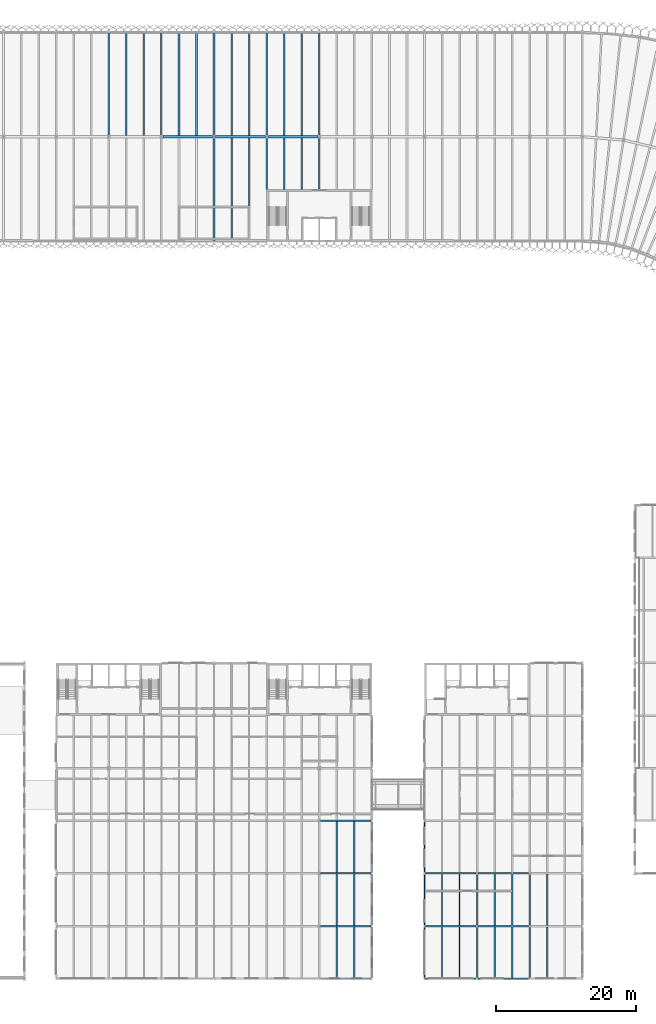
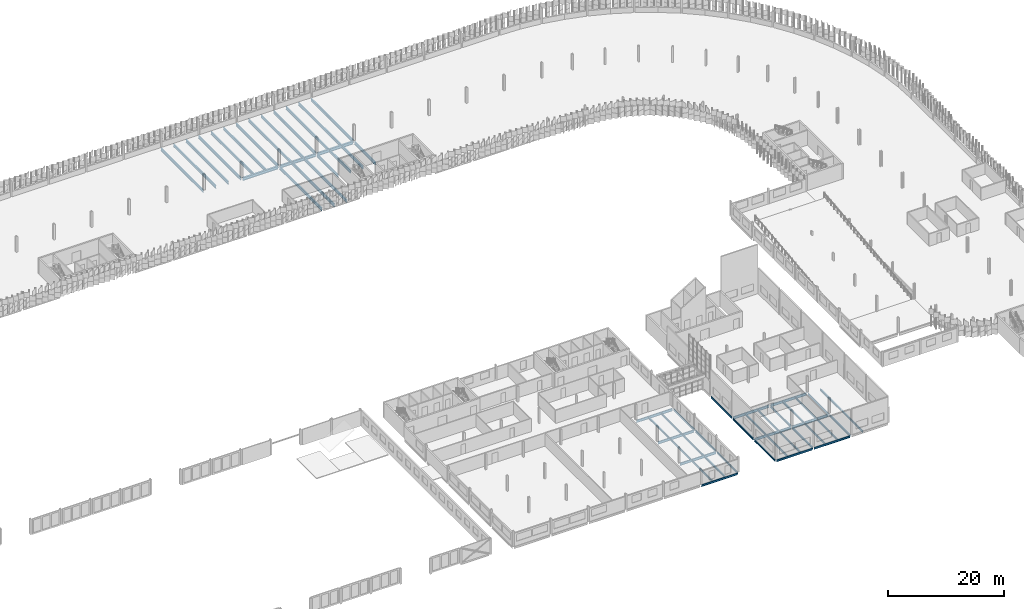
# One storey, part 32 of 198: 59 beams.
"""IFC4 building model written with IfcOpenShell, lengths in metres."""

import ifcopenshell
import ifcopenshell.guid

model = None  # the IFC model being written
_history = None  # IfcOwnerHistory: only IFC2X3 demands one
_inside = {}  # id of a spatial element -> (the spatial element, [elements in it])
_under = {}  # id of a project, library or spatial element -> (it, [spatial elements below it])
_declared = {}  # id of a project -> (the project, [libraries it declares])
_typed = {}  # id of a type object -> (the type object, [elements of that type])
_made_of = {}  # id of a material, layer set ... -> (it, [elements and type objects made of it])


def new_model(schema):
    """Start an empty IFC model of exactly this schema.

    Asked for "IFC4X3", IfcOpenShell would pick the latest addendum, in which some entities
    have other attributes; the version numbers below select the first issue.
    IFC2X3 requires an IfcOwnerHistory on every rooted entity: one is made here for all.
    """
    global model, _history
    if schema == "IFC4X3":
        model = ifcopenshell.file(schema_version=(4, 3, 0, 0))
    else:
        model = ifcopenshell.file(schema=schema)
    _inside.clear()
    _under.clear()
    _declared.clear()
    _typed.clear()
    _made_of.clear()
    _history = None
    if model.schema == "IFC2X3":
        org = make("IfcOrganization", Name="unknown")
        user = make(
            "IfcPersonAndOrganization",
            ThePerson=make("IfcPerson", FamilyName="unknown"),
            TheOrganization=org,
        )
        app = make(
            "IfcApplication",
            ApplicationDeveloper=org,
            Version="unknown",
            ApplicationFullName="unknown",
            ApplicationIdentifier="unknown",
        )
        _history = make(
            "IfcOwnerHistory",
            OwningUser=user,
            OwningApplication=app,
            ChangeAction="ADDED",
            CreationDate=0,
        )
    return model


def make(cls, **values):
    """One entity of the class cls with the attributes given. An attribute that is None is left unset."""
    return model.create_entity(
        cls, **{name: value for name, value in values.items() if value is not None}
    )


def rooted(cls, **values):
    """An entity with a GlobalId (a new one), such as an element, a storey or a relation."""
    return make(cls, GlobalId=ifcopenshell.guid.new(), OwnerHistory=_history, **values)


def si_unit(unit_type, name, prefix=None):
    """IfcSIUnit, for example si_unit("LENGTHUNIT", "METRE", prefix="MILLI")."""
    return make("IfcSIUnit", UnitType=unit_type, Prefix=prefix, Name=name)


def assignment(units):
    """IfcUnitAssignment: the units of a project."""
    return None if units is None else make("IfcUnitAssignment", Units=units)


def point(xyz):
    """IfcCartesianPoint."""
    return None if xyz is None else make("IfcCartesianPoint", Coordinates=xyz)


def direction(xyz):
    """IfcDirection."""
    return None if xyz is None else make("IfcDirection", DirectionRatios=xyz)


def frame(location, z_axis=None, x_axis=None):
    """IfcAxis2Placement3D, a coordinate frame: its origin and axes. An axis left out is left unset."""
    return make(
        "IfcAxis2Placement3D",
        Location=point(location),
        Axis=direction(z_axis),
        RefDirection=direction(x_axis),
    )


def frame_2d(location, x_axis=None):
    """IfcAxis2Placement2D, a coordinate frame in the plane: its origin and x axis."""
    return make(
        "IfcAxis2Placement2D", Location=point(location), RefDirection=direction(x_axis)
    )


def origin():
    """The frame at (0, 0, 0) with its axes left unset."""
    return frame((0.0, 0.0, 0.0))


def origin_2d():
    """The frame at (0, 0) in the plane with its x axis left unset."""
    return frame_2d((0.0, 0.0))


def place(relative_to, where):
    """IfcLocalPlacement: puts the frame where relative to a parent placement (None: the world)."""
    return make(
        "IfcLocalPlacement", PlacementRelTo=relative_to, RelativePlacement=where
    )


def context(
    kind, dimensions, precision=None, world=None, true_north=None, identifier=None
):
    """IfcGeometricRepresentationContext, for example the 3D "Model" context."""
    return make(
        "IfcGeometricRepresentationContext",
        ContextIdentifier=identifier,
        ContextType=kind,
        CoordinateSpaceDimension=dimensions,
        Precision=precision,
        WorldCoordinateSystem=world,
        TrueNorth=true_north,
    )


def subcontext(parent, identifier, kind, view, scale=None):
    """IfcGeometricRepresentationSubContext, for example "Body" below "Model"."""
    return make(
        "IfcGeometricRepresentationSubContext",
        ContextIdentifier=identifier,
        ContextType=kind,
        ParentContext=parent,
        TargetScale=scale,
        TargetView=view,
    )


def project(units=None, contexts=None):
    """IfcProject with its units and contexts."""
    return rooted(
        "IfcProject",
        Name="project",
        RepresentationContexts=contexts,
        UnitsInContext=assignment(units),
    )


def spatial(cls, under=None, at=None, **own):
    """A site, building, storey or space (cls), placed at a placement, below another one or the project."""
    s = rooted(cls, ObjectPlacement=at, **own)
    if under is not None:
        _under.setdefault(under.id(), (under, []))[1].append(s)
    return s


def profile(cls, at=None, kind="AREA", **sizes):
    """A parametric profile (cls). Its sizes go by their IFC names, for example OverallWidth=200.0."""
    return make(cls, ProfileType=kind, Position=at, **sizes)


def i_section(**sizes):
    """IfcIShapeProfileDef."""
    return profile("IfcIShapeProfileDef", **sizes)


def extrude(swept, where, along, depth):
    """IfcExtrudedAreaSolid: the profile swept, set in the frame where, extruded along a direction by depth."""
    return make(
        "IfcExtrudedAreaSolid",
        SweptArea=swept,
        Position=where,
        ExtrudedDirection=direction(along),
        Depth=depth,
    )


def shape(context_of_items, identifier, shape_type, items):
    """IfcShapeRepresentation: the items that make up one representation, for example the "Body"."""
    return make(
        "IfcShapeRepresentation",
        ContextOfItems=context_of_items,
        RepresentationIdentifier=identifier,
        RepresentationType=shape_type,
        Items=items,
    )


def material(Name=None, Category=None):
    """IfcMaterial."""
    return make("IfcMaterial", Name=Name, Category=Category)


def material_profile(
    of_material, cross_section, Name=None, Category=None, Priority=None
):
    """IfcMaterialProfile: a cross section and its material."""
    return make(
        "IfcMaterialProfile",
        Name=Name,
        Material=of_material,
        Profile=cross_section,
        Priority=Priority,
        Category=Category,
    )


def profile_set(profiles, Name=None, composite=None):
    """IfcMaterialProfileSet."""
    return make(
        "IfcMaterialProfileSet",
        Name=Name,
        MaterialProfiles=profiles,
        CompositeProfile=composite,
    )


def made_of(thing, what):
    """Note that an element or type object is made of a material, layer set ...; save() writes the relation."""
    if what is not None:
        _made_of.setdefault(what.id(), (what, []))[1].append(thing)
    return thing


def type_object(cls, material=None, **own):
    """A type object (cls), such as IfcWallType, which elements share."""
    return made_of(rooted(cls, **own), material)


def element(
    cls,
    number,
    at=None,
    inside=None,
    cuts=None,
    type_object=None,
    material=None,
    context=None,
    identifier="Body",
    shape_type=None,
    held_by="IfcProductDefinitionShape",
    body=None,
    shapes=None,
    **own,
):
    """One element of the class cls, such as IfcWall. Its Tag is "e" and its number.

    at: its placement. inside: the storey or other place that contains it. cuts: it is an
    opening in that element (IfcRelVoidsElement). A single representation is given by context,
    identifier, shape_type and body (its items); several are given by shapes. held_by: the class
    of the entity that holds the representations. save() writes the other relations.
    """
    e = rooted(cls, Tag="e%d" % number, ObjectPlacement=at, **own)
    if body is not None:
        shapes = [shape(context, identifier, shape_type, body)]
    if shapes is not None:
        e.Representation = make(held_by, Representations=shapes)
    if inside is not None:
        _inside.setdefault(inside.id(), (inside, []))[1].append(e)
    if cuts is not None:
        rooted(
            "IfcRelVoidsElement", RelatingBuildingElement=cuts, RelatedOpeningElement=e
        )
    if type_object is not None:
        _typed.setdefault(type_object.id(), (type_object, []))[1].append(e)
    return made_of(e, material)


def aggregate(whole, parts):
    """IfcRelAggregates: a whole, such as a stair, and the parts it consists of."""
    return rooted("IfcRelAggregates", RelatingObject=whole, RelatedObjects=parts)


def save(model, path):
    """Write the relations noted so far, then the file.

    IfcRelAggregates (storeys below a building ...), IfcRelContainedInSpatialStructure (elements
    in a storey), IfcRelDefinesByType, IfcRelAssociatesMaterial and IfcRelDeclares: one each for
    every whole, place, type object, material and project.
    """
    for whole, parts in _under.values():
        aggregate(whole, parts)
    for where, things in _inside.values():
        rooted(
            "IfcRelContainedInSpatialStructure",
            RelatedElements=things,
            RelatingStructure=where,
        )
    for kind, things in _typed.values():
        rooted("IfcRelDefinesByType", RelatedObjects=things, RelatingType=kind)
    for what, things in _made_of.values():
        rooted("IfcRelAssociatesMaterial", RelatedObjects=things, RelatingMaterial=what)
    for by, libraries in _declared.values():
        rooted("IfcRelDeclares", RelatingContext=by, RelatedDefinitions=libraries)
    model.write(path)


model = new_model("IFC4")

# Units and contexts
model_context = context("Model", 3, precision=1e-05, world=origin(), true_north=direction((0.0, 1.0)))
body_context = subcontext(model_context, "Body", "Model", "MODEL_VIEW")
ifc_project = project(units=[si_unit("LENGTHUNIT", "METRE"), si_unit("AREAUNIT", "SQUARE_METRE"), si_unit("VOLUMEUNIT", "CUBIC_METRE"), si_unit("PLANEANGLEUNIT", "RADIAN"), si_unit("MASSUNIT", "GRAM", prefix="KILO")], contexts=[model_context])

# Site, building, storey
site_placement = place(None, origin())
site = spatial("IfcSite", under=ifc_project, at=site_placement, CompositionType="ELEMENT")
building_placement = place(site_placement, origin())
building = spatial("IfcBuilding", under=site, at=building_placement, Name="Parallax Yard Mobility Hub", CompositionType="ELEMENT")
storey_placement = place(building_placement, frame((0.0, 0.0, 6.60009765625)))
storey = spatial("IfcBuildingStorey", under=building, at=storey_placement, Name="L02", CompositionType="ELEMENT", Elevation=6.60009765625)

# Beams
ifc_material = material(Name="Steel ASTM A992", Category="steel")
ifc_material_profile_1 = material_profile(ifc_material, i_section(OverallWidth=0.177978515625, OverallDepth=0.406005859375, WebThickness=0.0078125, FlangeThickness=0.0126953125, FilletRadius=0.01025390625, at=origin_2d()), Name="W410x60")
ifc_profile_set_1 = profile_set([ifc_material_profile_1], Name="Steel ASTM A992")
beam_type_1 = type_object("IfcBeamType", Name="W410x60 secondary beam", PredefinedType="JOIST", material=ifc_profile_set_1)
beam_1_placement = place(storey_placement, frame((152.5, 7.589599609375, -0.343017578125), z_axis=(0.0, 1.0, 0.0), x_axis=(-1.0, 0.0, 0.0)))
element("IfcBeam", 1, at=beam_1_placement, inside=storey, type_object=beam_type_1, Name="Secondary beam B1 level L02, 2.5 m east of line 21 of bicycle and shared-mobility hall, span 1", PredefinedType="JOIST", context=body_context, shape_type="SweptSolid", body=[
    extrude(i_section(OverallWidth=0.177978515625, OverallDepth=0.406005859375, WebThickness=0.0078125, FlangeThickness=0.0126953125, FilletRadius=0.01025390625, at=origin_2d()), origin(), (0.0, 0.0, 1.0), 7.305908203125),
])
beam_2_placement = place(storey_placement, frame((152.5, 15.1044921875, -0.343017578125), z_axis=(0.0, 1.0, 0.0), x_axis=(-1.0, 0.0, 0.0)))
element("IfcBeam", 2, at=beam_2_placement, inside=storey, type_object=beam_type_1, Name="Secondary beam B1 level L02, 2.5 m east of line 21 of bicycle and shared-mobility hall, span 2", PredefinedType="JOIST", context=body_context, shape_type="SweptSolid", body=[
    extrude(i_section(OverallWidth=0.177978515625, OverallDepth=0.406005859375, WebThickness=0.0078125, FlangeThickness=0.0126953125, FilletRadius=0.01025390625, at=origin_2d()), origin(), (0.0, 0.0, 1.0), 7.291015625),
])
beam_3_placement = place(storey_placement, frame((160.0, 7.589599609375, -0.343017578125), z_axis=(0.0, 1.0, 0.0), x_axis=(-1.0, 0.0, 0.0)))
element("IfcBeam", 3, at=beam_3_placement, inside=storey, type_object=beam_type_1, Name="Secondary beam B1 level L02, 2.5 m east of line 22 of bicycle and shared-mobility hall, span 1", PredefinedType="JOIST", context=body_context, shape_type="SweptSolid", body=[
    extrude(i_section(OverallWidth=0.177978515625, OverallDepth=0.406005859375, WebThickness=0.0078125, FlangeThickness=0.0126953125, FilletRadius=0.01025390625, at=origin_2d()), origin(), (0.0, 0.0, 1.0), 7.305908203125),
])
beam_4_placement = place(storey_placement, frame((160.0, 15.1044921875, -0.343017578125), z_axis=(0.0, 1.0, 0.0), x_axis=(-1.0, 0.0, 0.0)))
element("IfcBeam", 4, at=beam_4_placement, inside=storey, type_object=beam_type_1, Name="Secondary beam B1 level L02, 2.5 m east of line 22 of bicycle and shared-mobility hall, span 2", PredefinedType="JOIST", context=body_context, shape_type="SweptSolid", body=[
    extrude(i_section(OverallWidth=0.177978515625, OverallDepth=0.406005859375, WebThickness=0.0078125, FlangeThickness=0.0126953125, FilletRadius=0.01025390625, at=origin_2d()), origin(), (0.0, 0.0, 1.0), 7.291015625),
])
beam_5_placement = place(storey_placement, frame((167.5, 7.589599609375, -0.343017578125), z_axis=(0.0, 1.0, 0.0), x_axis=(-1.0, 0.0, 0.0)))
element("IfcBeam", 5, at=beam_5_placement, inside=storey, type_object=beam_type_1, Name="Secondary beam B1 level L02, 2.5 m east of line 23 of bicycle and shared-mobility hall, span 1", PredefinedType="JOIST", context=body_context, shape_type="SweptSolid", body=[
    extrude(i_section(OverallWidth=0.177978515625, OverallDepth=0.406005859375, WebThickness=0.0078125, FlangeThickness=0.0126953125, FilletRadius=0.01025390625, at=origin_2d()), origin(), (0.0, 0.0, 1.0), 7.305908203125),
])
beam_6_placement = place(storey_placement, frame((167.5, 15.1044921875, -0.343017578125), z_axis=(0.0, 1.0, 0.0), x_axis=(-1.0, 0.0, 0.0)))
element("IfcBeam", 6, at=beam_6_placement, inside=storey, type_object=beam_type_1, Name="Secondary beam B1 level L02, 2.5 m east of line 23 of bicycle and shared-mobility hall, span 2", PredefinedType="JOIST", context=body_context, shape_type="SweptSolid", body=[
    extrude(i_section(OverallWidth=0.177978515625, OverallDepth=0.406005859375, WebThickness=0.0078125, FlangeThickness=0.0126953125, FilletRadius=0.01025390625, at=origin_2d()), origin(), (0.0, 0.0, 1.0), 7.291015625),
])
beam_7_placement = place(storey_placement, frame((155.0, 7.589599609375, -0.343017578125), z_axis=(0.0, 1.0, 0.0), x_axis=(-1.0, 0.0, 0.0)))
element("IfcBeam", 7, at=beam_7_placement, inside=storey, type_object=beam_type_1, Name="Secondary beam B1 level L02, 5 m east of line 21 of bicycle and shared-mobility hall, span 1", PredefinedType="JOIST", context=body_context, shape_type="SweptSolid", body=[
    extrude(i_section(OverallWidth=0.177978515625, OverallDepth=0.406005859375, WebThickness=0.0078125, FlangeThickness=0.0126953125, FilletRadius=0.01025390625, at=origin_2d()), origin(), (0.0, 0.0, 1.0), 7.305908203125),
])
beam_8_placement = place(storey_placement, frame((155.0, 15.1044921875, -0.343017578125), z_axis=(0.0, 1.0, 0.0), x_axis=(-1.0, 0.0, 0.0)))
element("IfcBeam", 8, at=beam_8_placement, inside=storey, type_object=beam_type_1, Name="Secondary beam B1 level L02, 5 m east of line 21 of bicycle and shared-mobility hall, span 2", PredefinedType="JOIST", context=body_context, shape_type="SweptSolid", body=[
    extrude(i_section(OverallWidth=0.177978515625, OverallDepth=0.406005859375, WebThickness=0.0078125, FlangeThickness=0.0126953125, FilletRadius=0.01025390625, at=origin_2d()), origin(), (0.0, 0.0, 1.0), 7.291015625),
])
beam_9_placement = place(storey_placement, frame((162.5, 7.589599609375, -0.343017578125), z_axis=(0.0, 1.0, 0.0), x_axis=(-1.0, 0.0, 0.0)))
element("IfcBeam", 9, at=beam_9_placement, inside=storey, type_object=beam_type_1, Name="Secondary beam B1 level L02, 5 m east of line 22 of bicycle and shared-mobility hall, span 1", PredefinedType="JOIST", context=body_context, shape_type="SweptSolid", body=[
    extrude(i_section(OverallWidth=0.177978515625, OverallDepth=0.406005859375, WebThickness=0.0078125, FlangeThickness=0.0126953125, FilletRadius=0.01025390625, at=origin_2d()), origin(), (0.0, 0.0, 1.0), 7.305908203125),
])
beam_10_placement = place(storey_placement, frame((162.5, 15.1044921875, -0.343017578125), z_axis=(0.0, 1.0, 0.0), x_axis=(-1.0, 0.0, 0.0)))
element("IfcBeam", 10, at=beam_10_placement, inside=storey, type_object=beam_type_1, Name="Secondary beam B1 level L02, 5 m east of line 22 of bicycle and shared-mobility hall, span 2", PredefinedType="JOIST", context=body_context, shape_type="SweptSolid", body=[
    extrude(i_section(OverallWidth=0.177978515625, OverallDepth=0.406005859375, WebThickness=0.0078125, FlangeThickness=0.0126953125, FilletRadius=0.01025390625, at=origin_2d()), origin(), (0.0, 0.0, 1.0), 7.291015625),
])
beam_11_placement = place(storey_placement, frame((137.5, 7.589599609375, -0.343017578125), z_axis=(0.0, 1.0, 0.0), x_axis=(-1.0, 0.0, 0.0)))
element("IfcBeam", 11, at=beam_11_placement, inside=storey, type_object=beam_type_1, Name="Secondary beam B1 level L02, 2.5 m east of line 19 of mobility service centre and workshops, span 1", PredefinedType="JOIST", context=body_context, shape_type="SweptSolid", body=[
    extrude(i_section(OverallWidth=0.177978515625, OverallDepth=0.406005859375, WebThickness=0.0078125, FlangeThickness=0.0126953125, FilletRadius=0.01025390625, at=origin_2d()), origin(), (0.0, 0.0, 1.0), 7.305908203125),
])
for number, where, z_axis, x_axis, name in (
    (12, (137.5, 15.1044921875, -0.343017578125), (0.0, 1.0, 0.0), (-1.0, 0.0, 0.0), "Secondary beam B1 level L02, 2.5 m east of line 19 of mobility service centre and workshops, span 2"),
    (13, (137.5, 22.6044921875, -0.343017578125), (0.0, 1.0, 0.0), (-1.0, 0.0, 0.0), "Secondary beam B1 level L02, 2.5 m east of line 19 of mobility service centre and workshops, span 3"),
):
    element("IfcBeam", number, at=place(storey_placement, frame(where, z_axis=z_axis, x_axis=x_axis)), inside=storey, type_object=beam_type_1, Name=name, PredefinedType="JOIST", context=body_context, shape_type="SweptSolid", body=[
        extrude(i_section(OverallWidth=0.177978515625, OverallDepth=0.406005859375, WebThickness=0.0078125, FlangeThickness=0.0126953125, FilletRadius=0.01025390625, at=origin_2d()), origin(), (0.0, 0.0, 1.0), 7.291015625),
    ])
beam_12_placement = place(storey_placement, frame((140.0, 7.589599609375, -0.343017578125), z_axis=(0.0, 1.0, 0.0), x_axis=(-1.0, 0.0, 0.0)))
element("IfcBeam", 14, at=beam_12_placement, inside=storey, type_object=beam_type_1, Name="Secondary beam B1 level L02, 5 m east of line 19 of mobility service centre and workshops, span 1", PredefinedType="JOIST", context=body_context, shape_type="SweptSolid", body=[
    extrude(i_section(OverallWidth=0.177978515625, OverallDepth=0.406005859375, WebThickness=0.0078125, FlangeThickness=0.0126953125, FilletRadius=0.01025390625, at=origin_2d()), origin(), (0.0, 0.0, 1.0), 7.305908203125),
])
for number, where, z_axis, x_axis, name in (
    (15, (140.0, 15.1044921875, -0.343017578125), (0.0, 1.0, 0.0), (-1.0, 0.0, 0.0), "Secondary beam B1 level L02, 5 m east of line 19 of mobility service centre and workshops, span 2"),
    (16, (140.0, 22.6044921875, -0.343017578125), (0.0, 1.0, 0.0), (-1.0, 0.0, 0.0), "Secondary beam B1 level L02, 5 m east of line 19 of mobility service centre and workshops, span 3"),
):
    element("IfcBeam", number, at=place(storey_placement, frame(where, z_axis=z_axis, x_axis=x_axis)), inside=storey, type_object=beam_type_1, Name=name, PredefinedType="JOIST", context=body_context, shape_type="SweptSolid", body=[
        extrude(i_section(OverallWidth=0.177978515625, OverallDepth=0.406005859375, WebThickness=0.0078125, FlangeThickness=0.0126953125, FilletRadius=0.01025390625, at=origin_2d()), origin(), (0.0, 0.0, 1.0), 7.291015625),
    ])
ifc_material_profile_2 = material_profile(ifc_material, i_section(OverallWidth=0.178955078125, OverallDepth=0.408935546875, WebThickness=0.0087890625, FlangeThickness=0.014404296875, FilletRadius=0.01025390625, at=origin_2d()), Name="W410x67")
ifc_profile_set_2 = profile_set([ifc_material_profile_2], Name="Steel ASTM A992")
beam_type_2 = type_object("IfcBeamType", Name="W410x67 edge beam", PredefinedType="SPANDREL", material=ifc_profile_set_2)
for number, where, z_axis, x_axis, name in (
    (17, (150.0, 7.653564453125, -0.344482421875), (0.0, 1.0, 0.0), (-1.0, 0.0, 0.0), "Edge beam SB3 level L02, line 21 of bicycle and shared-mobility hall, span 1"),
    (18, (150.0, 15.153564453125, -0.344482421875), (0.0, 1.0, 0.0), (-1.0, 0.0, 0.0), "Edge beam SB3 level L02, line 21 of bicycle and shared-mobility hall, span 2"),
    (19, (150.0, 22.653564453125, -0.344482421875), (0.0, 1.0, 0.0), (-1.0, 0.0, 0.0), "Edge beam SB3 level L02, line 21 of bicycle and shared-mobility hall, span 3"),
):
    element("IfcBeam", number, at=place(storey_placement, frame(where, z_axis=z_axis, x_axis=x_axis)), inside=storey, type_object=beam_type_2, Name=name, PredefinedType="SPANDREL", context=body_context, shape_type="SweptSolid", body=[
        extrude(i_section(OverallWidth=0.178955078125, OverallDepth=0.408935546875, WebThickness=0.0087890625, FlangeThickness=0.014404296875, FilletRadius=0.01025390625, at=origin_2d()), origin(), (0.0, 0.0, 1.0), 7.19287109375),
    ])
for number, where, z_axis, x_axis, name in (
    (20, (150.152587890625, 7.5, -0.344482421875), (1.0, 0.0, 0.0), (0.0, 1.0, 0.0), "Edge beam SB3 level L02, line B of bicycle and shared-mobility hall, span 1"),
    (21, (157.652587890625, 7.5, -0.344482421875), (1.0, 0.0, 0.0), (0.0, 1.0, 0.0), "Edge beam SB3 level L02, line B of bicycle and shared-mobility hall, span 2"),
):
    element("IfcBeam", number, at=place(storey_placement, frame(where, z_axis=z_axis, x_axis=x_axis)), inside=storey, type_object=beam_type_2, Name=name, PredefinedType="SPANDREL", context=body_context, shape_type="SweptSolid", body=[
        extrude(i_section(OverallWidth=0.178955078125, OverallDepth=0.408935546875, WebThickness=0.0087890625, FlangeThickness=0.014404296875, FilletRadius=0.01025390625, at=origin_2d()), origin(), (0.0, 0.0, 1.0), 7.19482421875),
    ])
for number, where, z_axis, x_axis, name in (
    (22, (142.5, 7.653564453125, -0.344482421875), (0.0, 1.0, 0.0), (-1.0, 0.0, 0.0), "Edge beam SB3 level L02, line 20 of mobility service centre and workshops, span 1"),
    (23, (142.5, 15.153564453125, -0.344482421875), (0.0, 1.0, 0.0), (-1.0, 0.0, 0.0), "Edge beam SB3 level L02, line 20 of mobility service centre and workshops, span 2"),
    (24, (142.5, 22.653564453125, -0.344482421875), (0.0, 1.0, 0.0), (-1.0, 0.0, 0.0), "Edge beam SB3 level L02, line 20 of mobility service centre and workshops, span 3"),
):
    element("IfcBeam", number, at=place(storey_placement, frame(where, z_axis=z_axis, x_axis=x_axis)), inside=storey, type_object=beam_type_2, Name=name, PredefinedType="SPANDREL", context=body_context, shape_type="SweptSolid", body=[
        extrude(i_section(OverallWidth=0.178955078125, OverallDepth=0.408935546875, WebThickness=0.0087890625, FlangeThickness=0.014404296875, FilletRadius=0.01025390625, at=origin_2d()), origin(), (0.0, 0.0, 1.0), 7.19287109375),
    ])
beam_13_placement = place(storey_placement, frame((135.152587890625, 7.5, -0.344482421875), z_axis=(1.0, 0.0, 0.0), x_axis=(0.0, 1.0, 0.0)))
element("IfcBeam", 25, at=beam_13_placement, inside=storey, type_object=beam_type_2, Name="Edge beam SB3 level L02, line B of mobility service centre and workshops, span 6", PredefinedType="SPANDREL", context=body_context, shape_type="SweptSolid", body=[
    extrude(i_section(OverallWidth=0.178955078125, OverallDepth=0.408935546875, WebThickness=0.0087890625, FlangeThickness=0.014404296875, FilletRadius=0.01025390625, at=origin_2d()), origin(), (0.0, 0.0, 1.0), 7.19482421875),
])
ifc_material_profile_3 = material_profile(ifc_material, i_section(OverallWidth=0.178955078125, OverallDepth=0.408935546875, WebThickness=0.0087890625, FlangeThickness=0.014404296875, FilletRadius=0.01025390625, at=origin_2d()), Name="W410x67")
ifc_profile_set_3 = profile_set([ifc_material_profile_3], Name="Steel ASTM A992")
beam_type_3 = type_object("IfcBeamType", Name="W410x67 girder", PredefinedType="BEAM", material=ifc_profile_set_3)
for number, where, z_axis, x_axis, name in (
    (26, (157.5, 7.653564453125, -0.344482421875), (0.0, 1.0, 0.0), (-1.0, 0.0, 0.0), "Girder G1 level L02, line 22 of bicycle and shared-mobility hall, span 1"),
    (27, (157.5, 15.153564453125, -0.344482421875), (0.0, 1.0, 0.0), (-1.0, 0.0, 0.0), "Girder G1 level L02, line 22 of bicycle and shared-mobility hall, span 2"),
    (28, (165.0, 7.653564453125, -0.344482421875), (0.0, 1.0, 0.0), (-1.0, 0.0, 0.0), "Girder G1 level L02, line 23 of bicycle and shared-mobility hall, span 1"),
    (29, (165.0, 15.153564453125, -0.344482421875), (0.0, 1.0, 0.0), (-1.0, 0.0, 0.0), "Girder G1 level L02, line 23 of bicycle and shared-mobility hall, span 2"),
):
    element("IfcBeam", number, at=place(storey_placement, frame(where, z_axis=z_axis, x_axis=x_axis)), inside=storey, type_object=beam_type_3, Name=name, PredefinedType="BEAM", context=body_context, shape_type="SweptSolid", body=[
        extrude(i_section(OverallWidth=0.178955078125, OverallDepth=0.408935546875, WebThickness=0.0087890625, FlangeThickness=0.014404296875, FilletRadius=0.01025390625, at=origin_2d()), origin(), (0.0, 0.0, 1.0), 7.19287109375),
    ])
ifc_material_profile_4 = material_profile(ifc_material, i_section(OverallWidth=0.208984375, OverallDepth=0.532958984375, WebThickness=0.01025390625, FlangeThickness=0.015625, FilletRadius=0.0126953125, at=origin_2d()), Name="W530x92")
ifc_profile_set_4 = profile_set([ifc_material_profile_4], Name="Steel ASTM A992")
beam_type_4 = type_object("IfcBeamType", Name="W530x92 longitudinal beam", PredefinedType="BEAM", material=ifc_profile_set_4)
for number, where, z_axis, x_axis, name in (
    (30, (150.152587890625, 15.0, -0.406494140625), (1.0, 0.0, 0.0), (0.0, 1.0, 0.0), "Longitudinal beam SB6 level L02, line C of bicycle and shared-mobility hall, span 1"),
    (31, (157.652587890625, 15.0, -0.406494140625), (1.0, 0.0, 0.0), (0.0, 1.0, 0.0), "Longitudinal beam SB6 level L02, line C of bicycle and shared-mobility hall, span 2"),
    (32, (150.152587890625, 22.5, -0.406494140625), (1.0, 0.0, 0.0), (0.0, 1.0, 0.0), "Longitudinal beam SB6 level L02, line D of bicycle and shared-mobility hall, span 1"),
    (33, (157.652587890625, 22.5, -0.406494140625), (1.0, 0.0, 0.0), (0.0, 1.0, 0.0), "Longitudinal beam SB6 level L02, line D of bicycle and shared-mobility hall, span 2"),
    (34, (135.152587890625, 15.0, -0.406494140625), (1.0, 0.0, 0.0), (0.0, 1.0, 0.0), "Longitudinal beam SB6 level L02, line C of mobility service centre and workshops, span 6"),
    (35, (135.152587890625, 22.5, -0.406494140625), (1.0, 0.0, 0.0), (0.0, 1.0, 0.0), "Longitudinal beam SB6 level L02, line D of mobility service centre and workshops, span 6"),
    (36, (135.152587890625, 30.0, -0.406494140625), (1.0, 0.0, 0.0), (0.0, 1.0, 0.0), "Longitudinal beam SB6 level L02, line E of mobility service centre and workshops, span 6"),
):
    element("IfcBeam", number, at=place(storey_placement, frame(where, z_axis=z_axis, x_axis=x_axis)), inside=storey, type_object=beam_type_4, Name=name, PredefinedType="BEAM", context=body_context, shape_type="SweptSolid", body=[
        extrude(i_section(OverallWidth=0.208984375, OverallDepth=0.532958984375, WebThickness=0.01025390625, FlangeThickness=0.015625, FilletRadius=0.0126953125, at=origin_2d()), origin(), (0.0, 0.0, 1.0), 7.19482421875),
    ])
ifc_material_profile_5 = material_profile(ifc_material, i_section(OverallWidth=0.22802734375, OverallDepth=0.60205078125, WebThickness=0.010498046875, FlangeThickness=0.014892578125, FilletRadius=0.0126953125, at=origin_2d()), Name="W610x101")
ifc_profile_set_5 = profile_set([ifc_material_profile_5], Name="Steel ASTM A992")
beam_type_5 = type_object("IfcBeamType", Name="W610x101 secondary beam", PredefinedType="JOIST", material=ifc_profile_set_5)
for number, where, z_axis, x_axis, name in (
    (37, (107.5, 127.66259765625, -0.441162109375), (0.0, 1.0, 0.0), (-1.0, 0.0, 0.0), "Secondary beam B3 level L02, 2.5 m east of line 15 of ramped parking decks, span 2"),
    (38, (115.0, 127.66259765625, -0.441162109375), (0.0, 1.0, 0.0), (-1.0, 0.0, 0.0), "Secondary beam B3 level L02, 2.5 m east of line 16 of ramped parking decks, span 2"),
    (39, (122.5, 112.6044921875, -0.441162109375), (0.0, 1.0, 0.0), (-1.0, 0.0, 0.0), "Secondary beam B3 level L02, 2.5 m east of line 17 of ramped parking decks, span 1"),
    (40, (122.5, 127.66259765625, -0.441162109375), (0.0, 1.0, 0.0), (-1.0, 0.0, 0.0), "Secondary beam B3 level L02, 2.5 m east of line 17 of ramped parking decks, span 2"),
):
    element("IfcBeam", number, at=place(storey_placement, frame(where, z_axis=z_axis, x_axis=x_axis)), inside=storey, type_object=beam_type_5, Name=name, PredefinedType="JOIST", context=body_context, shape_type="SweptSolid", body=[
        extrude(i_section(OverallWidth=0.22802734375, OverallDepth=0.60205078125, WebThickness=0.010498046875, FlangeThickness=0.014892578125, FilletRadius=0.0126953125, at=origin_2d()), origin(), (0.0, 0.0, 1.0), 14.73291015625),
    ])
beam_14_placement = place(storey_placement, frame((130.0, 120.0, -0.441162109375), z_axis=(0.0, 1.0, 0.0), x_axis=(-1.0, 0.0, 0.0)))
element("IfcBeam", 41, at=beam_14_placement, inside=storey, type_object=beam_type_5, Name="Secondary beam B3 level L02, 2.5 m east of line 18 of ramped parking decks, span 1", PredefinedType="JOIST", context=body_context, shape_type="SweptSolid", body=[
    extrude(i_section(OverallWidth=0.22802734375, OverallDepth=0.60205078125, WebThickness=0.010498046875, FlangeThickness=0.014892578125, FilletRadius=0.0126953125, at=origin_2d()), origin(), (0.0, 0.0, 1.0), 7.33740234375),
])
for number, where, z_axis, x_axis, name in (
    (42, (130.0, 127.66259765625, -0.441162109375), (0.0, 1.0, 0.0), (-1.0, 0.0, 0.0), "Secondary beam B3 level L02, 2.5 m east of line 18 of ramped parking decks, span 2"),
    (43, (110.0, 127.66259765625, -0.441162109375), (0.0, 1.0, 0.0), (-1.0, 0.0, 0.0), "Secondary beam B3 level L02, 5 m east of line 15 of ramped parking decks, span 2"),
    (44, (117.5, 127.66259765625, -0.441162109375), (0.0, 1.0, 0.0), (-1.0, 0.0, 0.0), "Secondary beam B3 level L02, 5 m east of line 16 of ramped parking decks, span 2"),
    (45, (125.0, 112.6044921875, -0.441162109375), (0.0, 1.0, 0.0), (-1.0, 0.0, 0.0), "Secondary beam B3 level L02, 5 m east of line 17 of ramped parking decks, span 1"),
    (46, (125.0, 127.66259765625, -0.441162109375), (0.0, 1.0, 0.0), (-1.0, 0.0, 0.0), "Secondary beam B3 level L02, 5 m east of line 17 of ramped parking decks, span 2"),
):
    element("IfcBeam", number, at=place(storey_placement, frame(where, z_axis=z_axis, x_axis=x_axis)), inside=storey, type_object=beam_type_5, Name=name, PredefinedType="JOIST", context=body_context, shape_type="SweptSolid", body=[
        extrude(i_section(OverallWidth=0.22802734375, OverallDepth=0.60205078125, WebThickness=0.010498046875, FlangeThickness=0.014892578125, FilletRadius=0.0126953125, at=origin_2d()), origin(), (0.0, 0.0, 1.0), 14.73291015625),
    ])
beam_15_placement = place(storey_placement, frame((132.5, 120.0, -0.441162109375), z_axis=(0.0, 1.0, 0.0), x_axis=(-1.0, 0.0, 0.0)))
element("IfcBeam", 47, at=beam_15_placement, inside=storey, type_object=beam_type_5, Name="Secondary beam B3 level L02, 5 m east of line 18 of ramped parking decks, span 1", PredefinedType="JOIST", context=body_context, shape_type="SweptSolid", body=[
    extrude(i_section(OverallWidth=0.22802734375, OverallDepth=0.60205078125, WebThickness=0.010498046875, FlangeThickness=0.014892578125, FilletRadius=0.0126953125, at=origin_2d()), origin(), (0.0, 0.0, 1.0), 7.33740234375),
])
beam_16_placement = place(storey_placement, frame((132.5, 127.66259765625, -0.441162109375), z_axis=(0.0, 1.0, 0.0), x_axis=(-1.0, 0.0, 0.0)))
element("IfcBeam", 48, at=beam_16_placement, inside=storey, type_object=beam_type_5, Name="Secondary beam B3 level L02, 5 m east of line 18 of ramped parking decks, span 2", PredefinedType="JOIST", context=body_context, shape_type="SweptSolid", body=[
    extrude(i_section(OverallWidth=0.22802734375, OverallDepth=0.60205078125, WebThickness=0.010498046875, FlangeThickness=0.014892578125, FilletRadius=0.0126953125, at=origin_2d()), origin(), (0.0, 0.0, 1.0), 14.73291015625),
])
ifc_material_profile_6 = material_profile(ifc_material, i_section(OverallWidth=0.22900390625, OverallDepth=0.612060546875, WebThickness=0.011962890625, FlangeThickness=0.01953125, FilletRadius=0.0126953125, at=origin_2d()), Name="W610x125")
ifc_profile_set_6 = profile_set([ifc_material_profile_6], Name="Steel ASTM A992")
beam_type_6 = type_object("IfcBeamType", Name="W610x125 girder", PredefinedType="BEAM", material=ifc_profile_set_6)
for number, where, z_axis, x_axis, name in (
    (49, (105.0, 127.68798828125, -0.446044921875), (0.0, 1.0, 0.0), (-1.0, 0.0, 0.0), "Girder G3 level L02, line 15 of ramped parking decks, span 2"),
    (50, (112.5, 127.68798828125, -0.446044921875), (0.0, 1.0, 0.0), (-1.0, 0.0, 0.0), "Girder G3 level L02, line 16 of ramped parking decks, span 2"),
):
    element("IfcBeam", number, at=place(storey_placement, frame(where, z_axis=z_axis, x_axis=x_axis)), inside=storey, type_object=beam_type_6, Name=name, PredefinedType="BEAM", context=body_context, shape_type="SweptSolid", body=[
        extrude(i_section(OverallWidth=0.22900390625, OverallDepth=0.612060546875, WebThickness=0.011962890625, FlangeThickness=0.01953125, FilletRadius=0.0126953125, at=origin_2d()), origin(), (0.0, 0.0, 1.0), 14.656005859375),
    ])
beam_17_placement = place(storey_placement, frame((120.0, 112.6865234375, -0.446044921875), z_axis=(0.0, 1.0, 0.0), x_axis=(-1.0, 0.0, 0.0)))
element("IfcBeam", 51, at=beam_17_placement, inside=storey, type_object=beam_type_6, Name="Girder G3 level L02, line 17 of ramped parking decks, span 1", PredefinedType="BEAM", context=body_context, shape_type="SweptSolid", body=[
    extrude(i_section(OverallWidth=0.22900390625, OverallDepth=0.612060546875, WebThickness=0.011962890625, FlangeThickness=0.01953125, FilletRadius=0.0126953125, at=origin_2d()), origin(), (0.0, 0.0, 1.0), 14.62548828125),
])
beam_18_placement = place(storey_placement, frame((120.0, 127.68798828125, -0.446044921875), z_axis=(0.0, 1.0, 0.0), x_axis=(-1.0, 0.0, 0.0)))
element("IfcBeam", 52, at=beam_18_placement, inside=storey, type_object=beam_type_6, Name="Girder G3 level L02, line 17 of ramped parking decks, span 2", PredefinedType="BEAM", context=body_context, shape_type="SweptSolid", body=[
    extrude(i_section(OverallWidth=0.22900390625, OverallDepth=0.612060546875, WebThickness=0.011962890625, FlangeThickness=0.01953125, FilletRadius=0.0126953125, at=origin_2d()), origin(), (0.0, 0.0, 1.0), 14.656005859375),
])
beam_19_placement = place(storey_placement, frame((127.5, 120.0, -0.446044921875), z_axis=(0.0, 1.0, 0.0), x_axis=(-1.0, 0.0, 0.0)))
element("IfcBeam", 53, at=beam_19_placement, inside=storey, type_object=beam_type_6, Name="Girder G3 level L02, line 18 of ramped parking decks, span 1", PredefinedType="BEAM", context=body_context, shape_type="SweptSolid", body=[
    extrude(i_section(OverallWidth=0.22900390625, OverallDepth=0.612060546875, WebThickness=0.011962890625, FlangeThickness=0.01953125, FilletRadius=0.0126953125, at=origin_2d()), origin(), (0.0, 0.0, 1.0), 7.3095703125),
])
beam_20_placement = place(storey_placement, frame((127.5, 127.6904296875, -0.446044921875), z_axis=(0.0, 1.0, 0.0), x_axis=(-1.0, 0.0, 0.0)))
element("IfcBeam", 54, at=beam_20_placement, inside=storey, type_object=beam_type_6, Name="Girder G3 level L02, line 18 of ramped parking decks, span 2", PredefinedType="BEAM", context=body_context, shape_type="SweptSolid", body=[
    extrude(i_section(OverallWidth=0.22900390625, OverallDepth=0.612060546875, WebThickness=0.011962890625, FlangeThickness=0.01953125, FilletRadius=0.0126953125, at=origin_2d()), origin(), (0.0, 0.0, 1.0), 14.653564453125),
])
beam_21_placement = place(storey_placement, frame((135.0, 120.0, -0.446044921875), z_axis=(0.0, 1.0, 0.0), x_axis=(-1.0, 0.0, 0.0)))
element("IfcBeam", 55, at=beam_21_placement, inside=storey, type_object=beam_type_6, Name="Girder G3 level L02, line 19 of ramped parking decks, span 1", PredefinedType="BEAM", context=body_context, shape_type="SweptSolid", body=[
    extrude(i_section(OverallWidth=0.22900390625, OverallDepth=0.612060546875, WebThickness=0.011962890625, FlangeThickness=0.01953125, FilletRadius=0.0126953125, at=origin_2d()), origin(), (0.0, 0.0, 1.0), 7.3095703125),
])
beam_22_placement = place(storey_placement, frame((135.0, 127.6904296875, -0.446044921875), z_axis=(0.0, 1.0, 0.0), x_axis=(-1.0, 0.0, 0.0)))
element("IfcBeam", 56, at=beam_22_placement, inside=storey, type_object=beam_type_6, Name="Girder G3 level L02, line 19 of ramped parking decks, span 2", PredefinedType="BEAM", context=body_context, shape_type="SweptSolid", body=[
    extrude(i_section(OverallWidth=0.22900390625, OverallDepth=0.612060546875, WebThickness=0.011962890625, FlangeThickness=0.01953125, FilletRadius=0.0126953125, at=origin_2d()), origin(), (0.0, 0.0, 1.0), 14.653564453125),
])
ifc_material_profile_7 = material_profile(ifc_material, i_section(OverallWidth=0.324951171875, OverallDepth=0.612060546875, WebThickness=0.0126953125, FlangeThickness=0.01904296875, FilletRadius=0.0126953125, at=origin_2d()), Name="W610x155")
ifc_profile_set_7 = profile_set([ifc_material_profile_7], Name="Steel ASTM A992")
beam_type_7 = type_object("IfcBeamType", Name="W610x155 longitudinal beam", PredefinedType="BEAM", material=ifc_profile_set_7)
beam_23_placement = place(storey_placement, frame((112.697021484375, 127.5, -0.446044921875), z_axis=(1.0, 0.0, 0.0), x_axis=(0.0, 1.0, 0.0)))
element("IfcBeam", 57, at=beam_23_placement, inside=storey, type_object=beam_type_7, Name="Longitudinal beam SB8 level L02, line T of ramped parking decks, span 12", PredefinedType="BEAM", context=body_context, shape_type="SweptSolid", body=[
    extrude(i_section(OverallWidth=0.324951171875, OverallDepth=0.612060546875, WebThickness=0.0126953125, FlangeThickness=0.01904296875, FilletRadius=0.0126953125, at=origin_2d()), origin(), (0.0, 0.0, 1.0), 7.10595703125),
])
beam_24_placement = place(storey_placement, frame((120.197021484375, 127.5, -0.446044921875), z_axis=(1.0, 0.0, 0.0), x_axis=(0.0, 1.0, 0.0)))
element("IfcBeam", 58, at=beam_24_placement, inside=storey, type_object=beam_type_7, Name="Longitudinal beam SB8 level L02, line T of ramped parking decks, span 13", PredefinedType="BEAM", context=body_context, shape_type="SweptSolid", body=[
    extrude(i_section(OverallWidth=0.324951171875, OverallDepth=0.612060546875, WebThickness=0.0126953125, FlangeThickness=0.01904296875, FilletRadius=0.0126953125, at=origin_2d()), origin(), (0.0, 0.0, 1.0), 7.10498046875),
])
beam_25_placement = place(storey_placement, frame((127.697998046875, 127.5, -0.446044921875), z_axis=(1.0, 0.0, 0.0), x_axis=(0.0, 1.0, 0.0)))
element("IfcBeam", 59, at=beam_25_placement, inside=storey, type_object=beam_type_7, Name="Longitudinal beam SB8 level L02, line T of ramped parking decks, span 14", PredefinedType="BEAM", context=body_context, shape_type="SweptSolid", body=[
    extrude(i_section(OverallWidth=0.324951171875, OverallDepth=0.612060546875, WebThickness=0.0126953125, FlangeThickness=0.01904296875, FilletRadius=0.0126953125, at=origin_2d()), origin(), (0.0, 0.0, 1.0), 7.10400390625),
])

save(model, "model.ifc")
